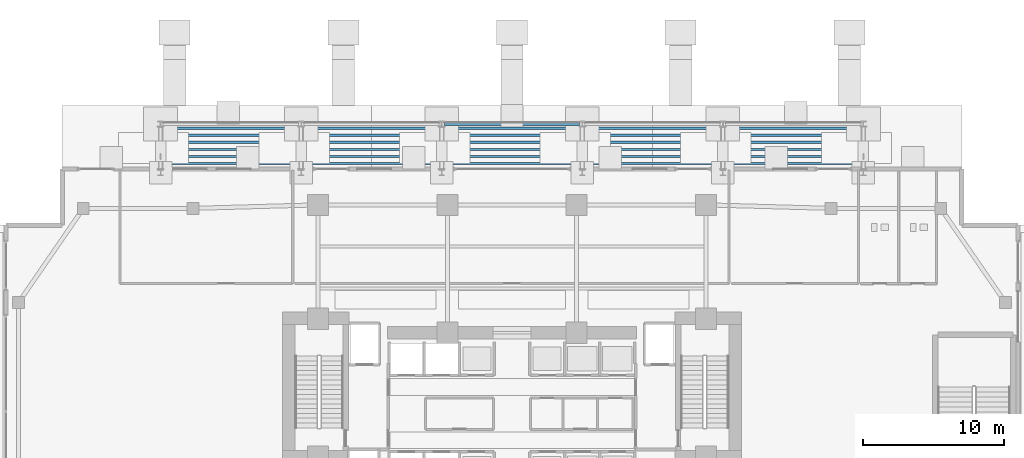
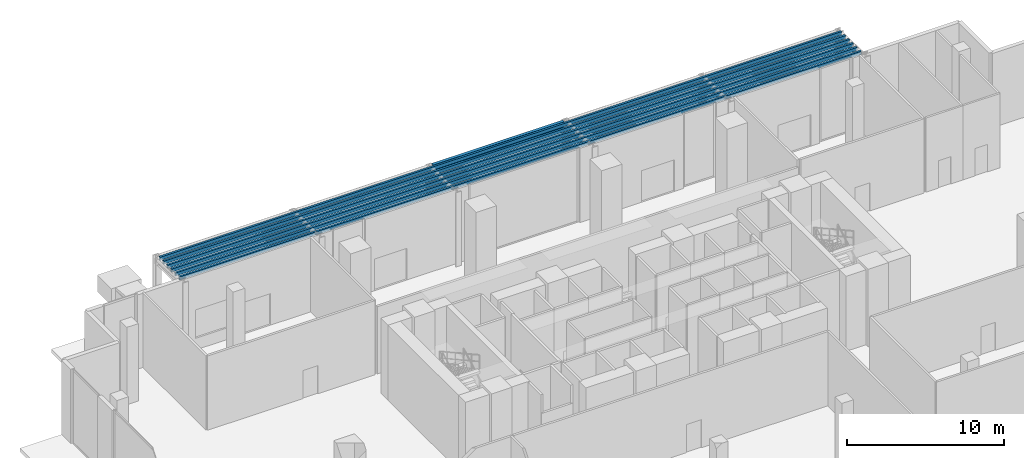
# One storey, part 19 of 39: 6 members, 1 beam.
"""IFC4 building model written with IfcOpenShell, lengths in metres."""

from ifc_helpers import new_model, si_unit, direction, frame, origin, origin_2d, place, context, subcontext, project, spatial, hollow_rectangle, i_section, extrude, material, material_profile, profile_set, type_object, element, save


model = new_model("IFC4")

# Units and contexts
model_context = context("Model", 3, precision=1e-05, world=origin(), true_north=direction((0.0, 1.0)))
body_context = subcontext(model_context, "Body", "Model", "MODEL_VIEW")
ifc_project = project(units=[si_unit("LENGTHUNIT", "METRE"), si_unit("AREAUNIT", "SQUARE_METRE"), si_unit("VOLUMEUNIT", "CUBIC_METRE"), si_unit("PLANEANGLEUNIT", "RADIAN"), si_unit("MASSUNIT", "GRAM", prefix="KILO")], contexts=[model_context])

# Site, building, storey
site_placement = place(None, origin())
site = spatial("IfcSite", under=ifc_project, at=site_placement, CompositionType="ELEMENT")
building_placement = place(site_placement, origin())
building = spatial("IfcBuilding", under=site, at=building_placement, Name="Zuhayl Quay Hotel", CompositionType="ELEMENT")
storey_placement = place(building_placement, origin())
storey = spatial("IfcBuildingStorey", under=building, at=storey_placement, Name="L00", CompositionType="ELEMENT", Elevation=0.0)

# Beam
ifc_material_1 = material(Name="Steel ASTM A992 Grade 50", Category="steel")
ifc_material_profile_1 = material_profile(ifc_material_1, i_section(OverallWidth=0.22802734375, OverallDepth=0.60693359375, WebThickness=0.01123046875, FlangeThickness=0.017333984375, at=origin_2d()), Name="W24X76")
ifc_profile_set_1 = profile_set([ifc_material_profile_1], Name="Steel ASTM A992 Grade 50")
beam_type = type_object("IfcBeamType", Name="BM_B3_W24X76", PredefinedType="BEAM", material=ifc_profile_set_1)
beam_placement = place(storey_placement, frame((-4.81005859375, 28.199951171875, 5.300048828125), z_axis=(1.0, 0.0, 0.0), x_axis=(0.0, 1.0, 0.0)))
element("IfcBeam", 1, at=beam_placement, inside=storey, type_object=beam_type, Name="Waterfront Colonnade Canopy Girder 3", PredefinedType="BEAM", context=body_context, shape_type="SweptSolid", body=[
    extrude(i_section(OverallWidth=0.22802734375, OverallDepth=0.60693359375, WebThickness=0.01123046875, FlangeThickness=0.017333984375, at=origin_2d()), origin(), (0.0, 0.0, 1.0), 9.6201171875),
])

# Members
ifc_material_2 = material(Name="Steel ASTM A500 Grade C", Category="steel")
ifc_material_profile_2 = material_profile(ifc_material_2, hollow_rectangle(XDim=0.14990234375, YDim=0.25, WallThickness=0.010009765625, at=origin_2d()), Name="HSS250X150X10")
ifc_profile_set_2 = profile_set([ifc_material_profile_2], Name="Steel ASTM A500 Grade C")
member_type = type_object("IfcMemberType", Name="MB_PR_HSS250", PredefinedType="PURLIN", material=ifc_profile_set_2)
for number, where, z_axis, x_axis, name in (
    (2, (-25.0, 25.39990234375, 5.56005859375), (1.0, 0.0, 0.0), (0.0, 1.0, 0.0), "Waterfront Canopy Purlin PR1-1"),
    (3, (-25.0, 25.89990234375, 5.56005859375), (1.0, 0.0, 0.0), (0.0, 1.0, 0.0), "Waterfront Canopy Purlin PR1-2"),
    (4, (-25.0, 26.39990234375, 5.56005859375), (1.0, 0.0, 0.0), (0.0, 1.0, 0.0), "Waterfront Canopy Purlin PR1-3"),
    (5, (-25.0, 26.89990234375, 5.56005859375), (1.0, 0.0, 0.0), (0.0, 1.0, 0.0), "Waterfront Canopy Purlin PR1-4"),
    (6, (-25.0, 27.39990234375, 5.56005859375), (1.0, 0.0, 0.0), (0.0, 1.0, 0.0), "Waterfront Canopy Purlin PR1-5"),
    (7, (-25.0, 27.89990234375, 5.56005859375), (1.0, 0.0, 0.0), (0.0, 1.0, 0.0), "Waterfront Canopy Purlin PR1-6"),
):
    element("IfcMember", number, at=place(storey_placement, frame(where, z_axis=z_axis, x_axis=x_axis)), inside=storey, type_object=member_type, Name=name, PredefinedType="PURLIN", context=body_context, shape_type="SweptSolid", body=[
        extrude(hollow_rectangle(XDim=0.14990234375, YDim=0.25, WallThickness=0.010009765625, at=origin_2d()), origin(), (0.0, 0.0, 1.0), 50.0),
    ])

save(model, "model.ifc")
